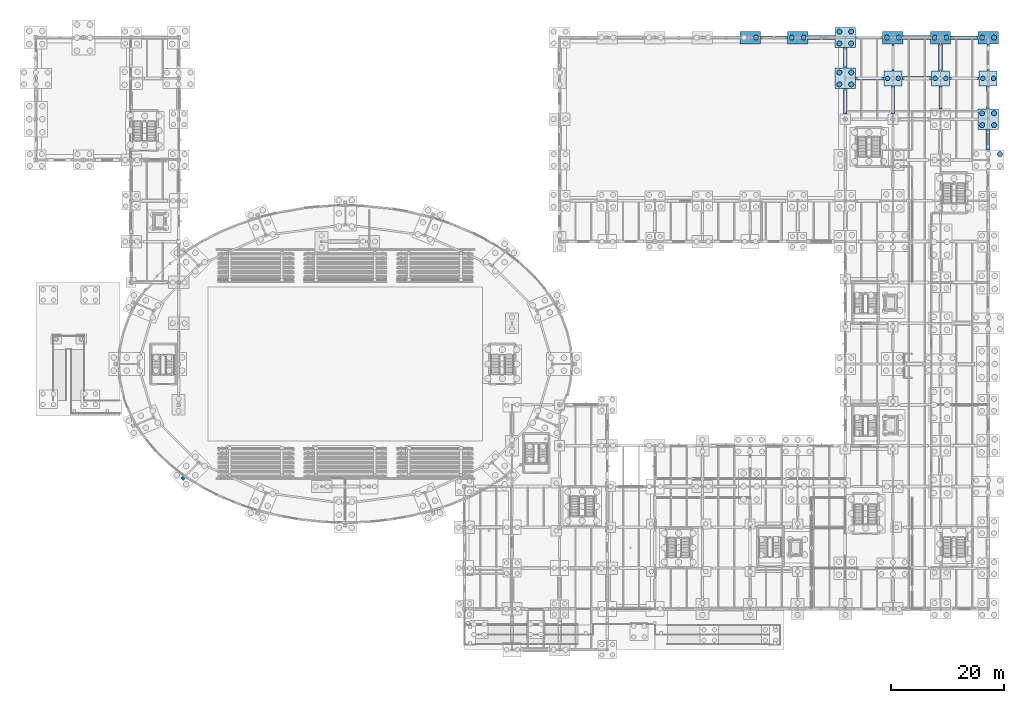
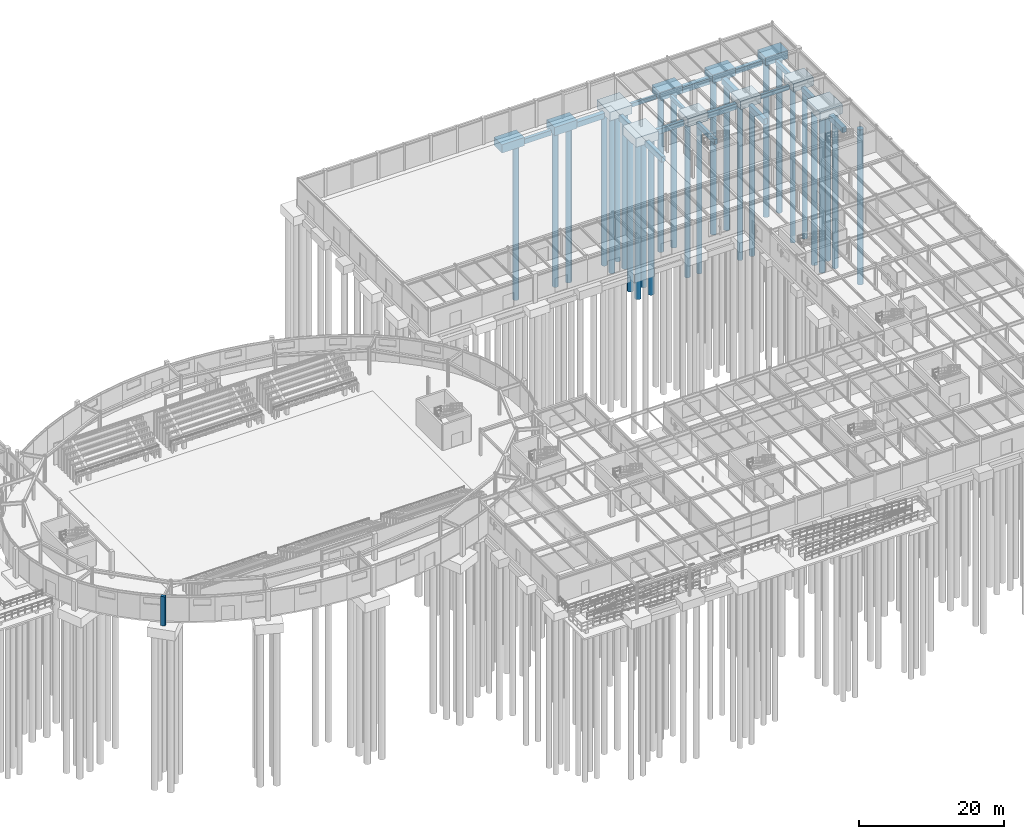
# One storey, part 9 of 93: 28 footings, 28 piles, 1 column.
"""IFC4 building model written with IfcOpenShell, lengths in metres."""

from ifc_helpers import new_model, si_unit, derived_unit, direction, frame, origin, origin_2d, place, context, subcontext, project, spatial, rectangle, circle, extrude, material, material_profile, profile_set, type_object, element, save


model = new_model("IFC4")

# Units and contexts
model_context = context("Model", 3, precision=1e-05, world=origin(), true_north=direction((0.0, 1.0)))
body_context = subcontext(model_context, "Body", "Model", "MODEL_VIEW")
ifc_project = project(units=[si_unit("LENGTHUNIT", "METRE"), si_unit("AREAUNIT", "SQUARE_METRE"), si_unit("VOLUMEUNIT", "CUBIC_METRE"), si_unit("PLANEANGLEUNIT", "RADIAN"), si_unit("MASSUNIT", "GRAM", prefix="KILO"), derived_unit("THERMALTRANSMITTANCEUNIT", [(si_unit("MASSUNIT", "GRAM", prefix="KILO"), 1), (si_unit("TIMEUNIT", "SECOND"), -3), (si_unit("THERMODYNAMICTEMPERATUREUNIT", "KELVIN"), -1)])], contexts=[model_context])

# Site, building, storey
site_placement = place(None, origin())
site = spatial("IfcSite", under=ifc_project, at=site_placement, CompositionType="ELEMENT")
building_placement = place(site_placement, origin())
building = spatial("IfcBuilding", under=site, at=building_placement, Name="Kharveza Railside Sports Centre", CompositionType="ELEMENT")
storey_placement = place(building_placement, origin())
storey = spatial("IfcBuildingStorey", under=building, at=storey_placement, Name="L00", CompositionType="ELEMENT", Elevation=0.0)

# Footings
ifc_material = material(Name="Concrete C35/45", Category="concrete")
ifc_material_profile_1 = material_profile(ifc_material, rectangle(XDim=0.60009765625, YDim=0.800048828125, at=origin_2d()), Name="GB 600x800")
ifc_profile_set_1 = profile_set([ifc_material_profile_1], Name="Concrete C35/45")
footing_type_1 = type_object("IfcFootingType", Name="FT-GB01", PredefinedType="FOOTING_BEAM", material=ifc_profile_set_1)
footing_1_placement = place(storey_placement, frame((161.403076171875, 108.0, -1.800048828125), z_axis=(1.0, 0.0, 0.0), x_axis=(0.0, 1.0, 0.0)))
element("IfcFooting", 1, at=footing_1_placement, inside=storey, type_object=footing_type_1, Name="GB-EW-141", PredefinedType="FOOTING_BEAM", context=body_context, shape_type="SweptSolid", body=[
    extrude(rectangle(XDim=0.60009765625, YDim=0.800048828125, at=origin_2d()), origin(), (0.0, 0.0, 1.0), 4.7939453125),
])
ifc_material_profile_2 = material_profile(ifc_material, rectangle(XDim=0.699951171875, YDim=0.89990234375, at=origin_2d()), Name="GB 700x900")
ifc_profile_set_2 = profile_set([ifc_material_profile_2], Name="Concrete C35/45")
footing_type_2 = type_object("IfcFootingType", Name="FT-GB03", PredefinedType="FOOTING_BEAM", material=ifc_profile_set_2)
footing_2_placement = place(storey_placement, frame((136.202880859375, 108.0, -1.85009765625), z_axis=(1.0, 0.0, 0.0), x_axis=(0.0, 1.0, 0.0)))
element("IfcFooting", 2, at=footing_2_placement, inside=storey, type_object=footing_type_2, Name="GB-EW-093", PredefinedType="FOOTING_BEAM", context=body_context, shape_type="SweptSolid", body=[
    extrude(rectangle(XDim=0.699951171875, YDim=0.89990234375, at=origin_2d()), origin(), (0.0, 0.0, 1.0), 4.819091796875),
])
footing_3_placement = place(storey_placement, frame((168.0, 88.177978515625, -1.85009765625), z_axis=(0.0, 1.0, 0.0), x_axis=(-1.0, 0.0, 0.0)))
element("IfcFooting", 3, at=footing_3_placement, inside=storey, type_object=footing_type_2, Name="GB-NS-153", PredefinedType="FOOTING_BEAM", context=body_context, shape_type="SweptSolid", body=[
    extrude(rectangle(XDim=0.699951171875, YDim=0.89990234375, at=origin_2d()), origin(), (0.0, 0.0, 1.0), 3.619140625),
])
ifc_material_profile_3 = material_profile(ifc_material, rectangle(XDim=0.550048828125, YDim=0.85009765625, at=origin_2d()), Name="GB 550x850")
ifc_profile_set_3 = profile_set([ifc_material_profile_3], Name="Concrete C35/45")
footing_type_3 = type_object("IfcFootingType", Name="FT-GB04", PredefinedType="FOOTING_BEAM", material=ifc_profile_set_3)
footing_4_placement = place(storey_placement, frame((168.0, 95.403076171875, -1.824951171875), z_axis=(0.0, 1.0, 0.0), x_axis=(-1.0, 0.0, 0.0)))
element("IfcFooting", 4, at=footing_4_placement, inside=storey, type_object=footing_type_3, Name="GB-NS-154", PredefinedType="FOOTING_BEAM", context=body_context, shape_type="SweptSolid", body=[
    extrude(rectangle(XDim=0.550048828125, YDim=0.85009765625, at=origin_2d()), origin(), (0.0, 0.0, 1.0), 4.093994140625),
])
ifc_material_profile_4 = material_profile(ifc_material, rectangle(XDim=0.449951171875, YDim=0.699951171875, at=origin_2d()), Name="GB 450x700")
ifc_profile_set_4 = profile_set([ifc_material_profile_4], Name="Concrete C35/45")
footing_type_4 = type_object("IfcFootingType", Name="FT-GB05", PredefinedType="FOOTING_BEAM", material=ifc_profile_set_4)
footing_5_placement = place(storey_placement, frame((168.0, 102.10302734375, -1.75), z_axis=(0.0, 1.0, 0.0), x_axis=(-1.0, 0.0, 0.0)))
element("IfcFooting", 5, at=footing_5_placement, inside=storey, type_object=footing_type_4, Name="GB-NS-155", PredefinedType="FOOTING_BEAM", context=body_context, shape_type="SweptSolid", body=[
    extrude(rectangle(XDim=0.449951171875, YDim=0.699951171875, at=origin_2d()), origin(), (0.0, 0.0, 1.0), 4.7939453125),
])
ifc_material_profile_5 = material_profile(ifc_material, rectangle(XDim=0.64990234375, YDim=0.85009765625, at=origin_2d()), Name="GB 650x850")
ifc_profile_set_5 = profile_set([ifc_material_profile_5], Name="Concrete C35/45")
footing_type_5 = type_object("IfcFootingType", Name="FT-GB06", PredefinedType="FOOTING_BEAM", material=ifc_profile_set_5)
footing_6_placement = place(storey_placement, frame((142.800048828125, 94.5029296875, -1.824951171875), z_axis=(0.0, 1.0, 0.0), x_axis=(-1.0, 0.0, 0.0)))
element("IfcFooting", 6, at=footing_6_placement, inside=storey, type_object=footing_type_5, Name="GB-NS-106", PredefinedType="FOOTING_BEAM", context=body_context, shape_type="SweptSolid", body=[
    extrude(rectangle(XDim=0.64990234375, YDim=0.85009765625, at=origin_2d()), origin(), (0.0, 0.0, 1.0), 4.494140625),
])
ifc_material_profile_6 = material_profile(ifc_material, rectangle(XDim=0.5, YDim=0.85009765625, at=origin_2d()), Name="GB 500x850")
ifc_profile_set_6 = profile_set([ifc_material_profile_6], Name="Concrete C35/45")
footing_type_6 = type_object("IfcFootingType", Name="FT-GB07", PredefinedType="FOOTING_BEAM", material=ifc_profile_set_6)
footing_7_placement = place(storey_placement, frame((127.802978515625, 108.0, -1.824951171875), z_axis=(1.0, 0.0, 0.0), x_axis=(0.0, 1.0, 0.0)))
element("IfcFooting", 7, at=footing_7_placement, inside=storey, type_object=footing_type_6, Name="GB-EW-087", PredefinedType="FOOTING_BEAM", context=body_context, shape_type="SweptSolid", body=[
    extrude(rectangle(XDim=0.5, YDim=0.85009765625, at=origin_2d()), origin(), (0.0, 0.0, 1.0), 4.7939453125),
])
footing_8_placement = place(storey_placement, frame((144.60302734375, 100.800048828125, -1.824951171875), z_axis=(1.0, 0.0, 0.0), x_axis=(0.0, 1.0, 0.0)))
element("IfcFooting", 8, at=footing_8_placement, inside=storey, type_object=footing_type_6, Name="GB-EW-107", PredefinedType="FOOTING_BEAM", context=body_context, shape_type="SweptSolid", body=[
    extrude(rectangle(XDim=0.5, YDim=0.85009765625, at=origin_2d()), origin(), (0.0, 0.0, 1.0), 4.993896484375),
])
footing_9_placement = place(storey_placement, frame((151.199951171875, 94.5029296875, -1.824951171875), z_axis=(0.0, 1.0, 0.0), x_axis=(-1.0, 0.0, 0.0)))
element("IfcFooting", 9, at=footing_9_placement, inside=storey, type_object=footing_type_6, Name="GB-NS-117", PredefinedType="FOOTING_BEAM", context=body_context, shape_type="SweptSolid", body=[
    extrude(rectangle(XDim=0.5, YDim=0.85009765625, at=origin_2d()), origin(), (0.0, 0.0, 1.0), 4.994140625),
])
ifc_material_profile_7 = material_profile(ifc_material, rectangle(XDim=0.60009765625, YDim=0.949951171875, at=origin_2d()), Name="GB 600x950")
ifc_profile_set_7 = profile_set([ifc_material_profile_7], Name="Concrete C35/45")
footing_type_7 = type_object("IfcFootingType", Name="FT-GB08", PredefinedType="FOOTING_BEAM", material=ifc_profile_set_7)
footing_10_placement = place(storey_placement, frame((142.800048828125, 102.60302734375, -1.875), z_axis=(0.0, 1.0, 0.0), x_axis=(-1.0, 0.0, 0.0)))
element("IfcFooting", 10, at=footing_10_placement, inside=storey, type_object=footing_type_7, Name="GB-NS-108", PredefinedType="FOOTING_BEAM", context=body_context, shape_type="SweptSolid", body=[
    extrude(rectangle(XDim=0.60009765625, YDim=0.949951171875, at=origin_2d()), origin(), (0.0, 0.0, 1.0), 3.618896484375),
])
footing_11_placement = place(storey_placement, frame((152.802978515625, 100.800048828125, -1.875), z_axis=(1.0, 0.0, 0.0), x_axis=(0.0, 1.0, 0.0)))
element("IfcFooting", 11, at=footing_11_placement, inside=storey, type_object=footing_type_7, Name="GB-EW-118", PredefinedType="FOOTING_BEAM", context=body_context, shape_type="SweptSolid", body=[
    extrude(rectangle(XDim=0.60009765625, YDim=0.949951171875, at=origin_2d()), origin(), (0.0, 0.0, 1.0), 5.194091796875),
])
footing_12_placement = place(storey_placement, frame((159.60009765625, 95.3779296875, -1.875), z_axis=(0.0, 1.0, 0.0), x_axis=(-1.0, 0.0, 0.0)))
element("IfcFooting", 12, at=footing_12_placement, inside=storey, type_object=footing_type_7, Name="GB-NS-138", PredefinedType="FOOTING_BEAM", context=body_context, shape_type="SweptSolid", body=[
    extrude(rectangle(XDim=0.60009765625, YDim=0.949951171875, at=origin_2d()), origin(), (0.0, 0.0, 1.0), 4.119140625),
])
ifc_material_profile_8 = material_profile(ifc_material, rectangle(XDim=0.39990234375, YDim=0.64990234375, at=origin_2d()), Name="GB 400x650")
ifc_profile_set_8 = profile_set([ifc_material_profile_8], Name="Concrete C35/45")
footing_type_8 = type_object("IfcFootingType", Name="FT-GB09", PredefinedType="FOOTING_BEAM", material=ifc_profile_set_8)
footing_13_placement = place(storey_placement, frame((144.577880859375, 108.0, -1.72509765625), z_axis=(1.0, 0.0, 0.0), x_axis=(0.0, 1.0, 0.0)))
element("IfcFooting", 13, at=footing_13_placement, inside=storey, type_object=footing_type_8, Name="GB-EW-109", PredefinedType="FOOTING_BEAM", context=body_context, shape_type="SweptSolid", body=[
    extrude(rectangle(XDim=0.39990234375, YDim=0.64990234375, at=origin_2d()), origin(), (0.0, 0.0, 1.0), 4.819091796875),
])
footing_14_placement = place(storey_placement, frame((151.199951171875, 102.10302734375, -1.72509765625), z_axis=(0.0, 1.0, 0.0), x_axis=(-1.0, 0.0, 0.0)))
element("IfcFooting", 14, at=footing_14_placement, inside=storey, type_object=footing_type_8, Name="GB-NS-119", PredefinedType="FOOTING_BEAM", context=body_context, shape_type="SweptSolid", body=[
    extrude(rectangle(XDim=0.39990234375, YDim=0.64990234375, at=origin_2d()), origin(), (0.0, 0.0, 1.0), 4.7939453125),
])
footing_15_placement = place(storey_placement, frame((161.202880859375, 100.800048828125, -1.72509765625), z_axis=(1.0, 0.0, 0.0), x_axis=(0.0, 1.0, 0.0)))
element("IfcFooting", 15, at=footing_15_placement, inside=storey, type_object=footing_type_8, Name="GB-EW-139", PredefinedType="FOOTING_BEAM", context=body_context, shape_type="SweptSolid", body=[
    extrude(rectangle(XDim=0.39990234375, YDim=0.64990234375, at=origin_2d()), origin(), (0.0, 0.0, 1.0), 5.194091796875),
])
ifc_material_profile_9 = material_profile(ifc_material, rectangle(XDim=0.75, YDim=1.0, at=origin_2d()), Name="GB 750x1000")
ifc_profile_set_9 = profile_set([ifc_material_profile_9], Name="Concrete C35/45")
footing_type_9 = type_object("IfcFootingType", Name="FT-GB10", PredefinedType="FOOTING_BEAM", material=ifc_profile_set_9)
footing_16_placement = place(storey_placement, frame((153.0029296875, 108.0, -1.89990234375), z_axis=(1.0, 0.0, 0.0), x_axis=(0.0, 1.0, 0.0)))
element("IfcFooting", 16, at=footing_16_placement, inside=storey, type_object=footing_type_9, Name="GB-EW-120", PredefinedType="FOOTING_BEAM", context=body_context, shape_type="SweptSolid", body=[
    extrude(rectangle(XDim=0.75, YDim=1.0, at=origin_2d()), origin(), (0.0, 0.0, 1.0), 4.794189453125),
])
footing_17_placement = place(storey_placement, frame((159.60009765625, 102.10302734375, -1.89990234375), z_axis=(0.0, 1.0, 0.0), x_axis=(-1.0, 0.0, 0.0)))
element("IfcFooting", 17, at=footing_17_placement, inside=storey, type_object=footing_type_9, Name="GB-NS-140", PredefinedType="FOOTING_BEAM", context=body_context, shape_type="SweptSolid", body=[
    extrude(rectangle(XDim=0.75, YDim=1.0, at=origin_2d()), origin(), (0.0, 0.0, 1.0), 4.7939453125),
])
footing_type_10 = type_object("IfcFootingType", Name="FT-PC01", PredefinedType="PILE_CAP", material=ifc_material)
for number, where, z_axis, x_axis, name in (
    (18, (151.199951171875, 100.800048828125, -1.820068359375), (0.0, 0.0, 1.0), (1.0, 0.0, 0.0), "FCAP-GRD-115"),
    (19, (159.60009765625, 100.800048828125, -1.820068359375), (0.0, 0.0, 1.0), (1.0, 0.0, 0.0), "FCAP-GRD-130"),
    (20, (168.0, 100.800048828125, -1.820068359375), (0.0, 0.0, 1.0), (1.0, 0.0, 0.0), "FCAP-GRD-145"),
):
    element("IfcFooting", number, at=place(storey_placement, frame(where, z_axis=z_axis, x_axis=x_axis)), inside=storey, type_object=footing_type_10, Name=name, PredefinedType="PILE_CAP", context=body_context, shape_type="SweptSolid", body=[
        extrude(rectangle(XDim=3.199951171875, YDim=2.60009765625, at=origin_2d()), origin(), (0.0, 0.0, 1.0), 1.39990234375),
    ])
footing_type_11 = type_object("IfcFootingType", Name="FT-PC02", PredefinedType="PILE_CAP", material=ifc_material)
for number, where, z_axis, x_axis, name in (
    (21, (126.0, 108.0, -1.820068359375), (0.0, 0.0, 1.0), (1.0, 0.0, 0.0), "FCAP-GRD-078"),
    (22, (134.39990234375, 108.0, -1.820068359375), (0.0, 0.0, 1.0), (1.0, 0.0, 0.0), "FCAP-GRD-086"),
    (23, (151.199951171875, 108.0, -1.820068359375), (0.0, 0.0, 1.0), (1.0, 0.0, 0.0), "FCAP-GRD-116"),
    (24, (159.60009765625, 108.0, -1.820068359375), (0.0, 0.0, 1.0), (1.0, 0.0, 0.0), "FCAP-GRD-131"),
    (25, (168.0, 108.0, -1.820068359375), (0.0, 0.0, 1.0), (1.0, 0.0, 0.0), "FCAP-GRD-146"),
):
    element("IfcFooting", number, at=place(storey_placement, frame(where, z_axis=z_axis, x_axis=x_axis)), inside=storey, type_object=footing_type_11, Name=name, PredefinedType="PILE_CAP", context=body_context, shape_type="SweptSolid", body=[
        extrude(rectangle(XDim=3.60009765625, YDim=2.199951171875, at=origin_2d()), origin(), (0.0, 0.0, 1.0), 1.39990234375),
    ])
footing_type_12 = type_object("IfcFootingType", Name="FT-PC04", PredefinedType="PILE_CAP", material=ifc_material)
for number, where, z_axis, x_axis, name in (
    (26, (142.800048828125, 100.800048828125, -1.919921875), (0.0, 0.0, 1.0), (1.0, 0.0, 0.0), "FCAP-GRD-100"),
    (27, (168.0, 93.60009765625, -1.919921875), (0.0, 0.0, 1.0), (1.0, 0.0, 0.0), "FCAP-GRD-144"),
):
    element("IfcFooting", number, at=place(storey_placement, frame(where, z_axis=z_axis, x_axis=x_axis)), inside=storey, type_object=footing_type_12, Name=name, PredefinedType="PILE_CAP", context=body_context, shape_type="SweptSolid", body=[
        extrude(rectangle(XDim=3.60009765625, YDim=3.60009765625, at=origin_2d()), origin(), (0.0, 0.0, 1.0), 1.5),
    ])
footing_type_13 = type_object("IfcFootingType", Name="FT-PC11", PredefinedType="PILE_CAP", material=ifc_material)
footing_18_placement = place(storey_placement, frame((142.800048828125, 108.0, -1.8701171875), z_axis=(0.0, 0.0, 1.0), x_axis=(1.0, 0.0, 0.0)))
element("IfcFooting", 28, at=footing_18_placement, inside=storey, type_object=footing_type_13, Name="FCAP-GRD-101", PredefinedType="PILE_CAP", context=body_context, shape_type="SweptSolid", body=[
    extrude(rectangle(XDim=3.550048828125, YDim=3.550048828125, at=origin_2d()), origin(), (0.0, 0.0, 1.0), 1.449951171875),
])

# Piles
ifc_material_profile_10 = material_profile(ifc_material, circle(Radius=0.39990234375, at=origin_2d()), Name="PILE D800")
ifc_profile_set_10 = profile_set([ifc_material_profile_10], Name="Concrete C35/45")
pile_type_1 = type_object("IfcPileType", Name="PL-B800", PredefinedType="BORED", material=ifc_profile_set_10)
for number, where, z_axis, x_axis, name in (
    (29, (150.25, 100.800048828125, -1.719970703125), (0.0, 0.0, -1.0), (1.0, 0.0, 0.0), "FCAP-GRD-115-P04-PL1"),
    (30, (152.14990234375, 100.800048828125, -1.719970703125), (0.0, 0.0, -1.0), (1.0, 0.0, 0.0), "FCAP-GRD-115-P04-PL2"),
    (31, (158.64990234375, 100.800048828125, -1.719970703125), (0.0, 0.0, -1.0), (1.0, 0.0, 0.0), "FCAP-GRD-130-P04-PL1"),
    (32, (160.550048828125, 100.800048828125, -1.719970703125), (0.0, 0.0, -1.0), (1.0, 0.0, 0.0), "FCAP-GRD-130-P04-PL2"),
    (33, (167.050048828125, 100.800048828125, -1.719970703125), (0.0, 0.0, -1.0), (1.0, 0.0, 0.0), "FCAP-GRD-145-P04-PL1"),
    (34, (168.949951171875, 100.800048828125, -1.719970703125), (0.0, 0.0, -1.0), (1.0, 0.0, 0.0), "FCAP-GRD-145-P04-PL2"),
):
    element("IfcPile", number, at=place(storey_placement, frame(where, z_axis=z_axis, x_axis=x_axis)), inside=storey, type_object=pile_type_1, Name=name, PredefinedType="BORED", context=body_context, shape_type="SweptSolid", body=[
        extrude(circle(Radius=0.39990234375, at=origin_2d()), origin(), (0.0, 0.0, 1.0), 26.280029296875),
    ])
ifc_material_profile_11 = material_profile(ifc_material, circle(Radius=0.449951171875, at=origin_2d()), Name="PILE D900")
ifc_profile_set_11 = profile_set([ifc_material_profile_11], Name="Concrete C35/45")
pile_type_2 = type_object("IfcPileType", Name="PL-B900", PredefinedType="BORED", material=ifc_profile_set_11)
for number, where, z_axis, x_axis, name in (
    (35, (127.050048828125, 108.0, -1.719970703125), (0.0, 0.0, -1.0), (1.0, 0.0, 0.0), "FCAP-GRD-078-P01-PL2"),
    (36, (133.35009765625, 108.0, -1.719970703125), (0.0, 0.0, -1.0), (1.0, 0.0, 0.0), "FCAP-GRD-086-P01-PL1"),
    (37, (135.449951171875, 108.0, -1.719970703125), (0.0, 0.0, -1.0), (1.0, 0.0, 0.0), "FCAP-GRD-086-P01-PL2"),
):
    element("IfcPile", number, at=place(storey_placement, frame(where, z_axis=z_axis, x_axis=x_axis)), inside=storey, type_object=pile_type_2, Name=name, PredefinedType="BORED", context=body_context, shape_type="SweptSolid", body=[
        extrude(circle(Radius=0.449951171875, at=origin_2d()), origin(), (0.0, 0.0, 1.0), 26.280029296875),
    ])
for number, where, z_axis, x_axis, name in (
    (38, (141.75, 99.75, -1.820068359375), (0.0, 0.0, -1.0), (1.0, 0.0, 0.0), "FCAP-GRD-100-P01-PL1"),
    (39, (143.85009765625, 99.75, -1.820068359375), (0.0, 0.0, -1.0), (1.0, 0.0, 0.0), "FCAP-GRD-100-P01-PL2"),
    (40, (141.75, 101.85009765625, -1.820068359375), (0.0, 0.0, -1.0), (1.0, 0.0, 0.0), "FCAP-GRD-100-P01-PL3"),
    (41, (143.85009765625, 101.85009765625, -1.820068359375), (0.0, 0.0, -1.0), (1.0, 0.0, 0.0), "FCAP-GRD-100-P01-PL4"),
):
    element("IfcPile", number, at=place(storey_placement, frame(where, z_axis=z_axis, x_axis=x_axis)), inside=storey, type_object=pile_type_2, Name=name, PredefinedType="BORED", context=body_context, shape_type="SweptSolid", body=[
        extrude(circle(Radius=0.449951171875, at=origin_2d()), origin(), (0.0, 0.0, 1.0), 26.179931640625),
    ])
for number, where, z_axis, x_axis, name in (
    (42, (141.760009765625, 106.9599609375, -1.77001953125), (0.0, 0.0, -1.0), (1.0, 0.0, 0.0), "FCAP-GRD-101-P01-PL1"),
    (43, (143.840087890625, 106.9599609375, -1.77001953125), (0.0, 0.0, -1.0), (1.0, 0.0, 0.0), "FCAP-GRD-101-P01-PL2"),
    (44, (141.760009765625, 109.0400390625, -1.77001953125), (0.0, 0.0, -1.0), (1.0, 0.0, 0.0), "FCAP-GRD-101-P01-PL3"),
    (45, (143.840087890625, 109.0400390625, -1.77001953125), (0.0, 0.0, -1.0), (1.0, 0.0, 0.0), "FCAP-GRD-101-P01-PL4"),
):
    element("IfcPile", number, at=place(storey_placement, frame(where, z_axis=z_axis, x_axis=x_axis)), inside=storey, type_object=pile_type_2, Name=name, PredefinedType="BORED", context=body_context, shape_type="SweptSolid", body=[
        extrude(circle(Radius=0.449951171875, at=origin_2d()), origin(), (0.0, 0.0, 1.0), 26.22998046875),
    ])
for number, where, z_axis, x_axis, name in (
    (46, (150.14990234375, 108.0, -1.719970703125), (0.0, 0.0, -1.0), (1.0, 0.0, 0.0), "FCAP-GRD-116-P01-PL1"),
    (47, (152.25, 108.0, -1.719970703125), (0.0, 0.0, -1.0), (1.0, 0.0, 0.0), "FCAP-GRD-116-P01-PL2"),
    (48, (158.550048828125, 108.0, -1.719970703125), (0.0, 0.0, -1.0), (1.0, 0.0, 0.0), "FCAP-GRD-131-P01-PL1"),
    (49, (160.64990234375, 108.0, -1.719970703125), (0.0, 0.0, -1.0), (1.0, 0.0, 0.0), "FCAP-GRD-131-P01-PL2"),
):
    element("IfcPile", number, at=place(storey_placement, frame(where, z_axis=z_axis, x_axis=x_axis)), inside=storey, type_object=pile_type_2, Name=name, PredefinedType="BORED", context=body_context, shape_type="SweptSolid", body=[
        extrude(circle(Radius=0.449951171875, at=origin_2d()), origin(), (0.0, 0.0, 1.0), 26.280029296875),
    ])
for number, where, z_axis, x_axis, name in (
    (50, (170.080078125, 87.43994140625, -1.820068359375), (0.0, 0.0, -1.0), (1.0, 0.0, 0.0), "FCAP-GRD-143-P01-PL6"),
    (51, (166.949951171875, 92.550048828125, -1.820068359375), (0.0, 0.0, -1.0), (1.0, 0.0, 0.0), "FCAP-GRD-144-P01-PL1"),
    (52, (169.050048828125, 92.550048828125, -1.820068359375), (0.0, 0.0, -1.0), (1.0, 0.0, 0.0), "FCAP-GRD-144-P01-PL2"),
    (53, (166.949951171875, 94.64990234375, -1.820068359375), (0.0, 0.0, -1.0), (1.0, 0.0, 0.0), "FCAP-GRD-144-P01-PL3"),
    (54, (169.050048828125, 94.64990234375, -1.820068359375), (0.0, 0.0, -1.0), (1.0, 0.0, 0.0), "FCAP-GRD-144-P01-PL4"),
):
    element("IfcPile", number, at=place(storey_placement, frame(where, z_axis=z_axis, x_axis=x_axis)), inside=storey, type_object=pile_type_2, Name=name, PredefinedType="BORED", context=body_context, shape_type="SweptSolid", body=[
        extrude(circle(Radius=0.449951171875, at=origin_2d()), origin(), (0.0, 0.0, 1.0), 26.179931640625),
    ])
for number, where, z_axis, x_axis, name in (
    (55, (166.949951171875, 108.0, -1.719970703125), (0.0, 0.0, -1.0), (1.0, 0.0, 0.0), "FCAP-GRD-146-P01-PL1"),
    (56, (169.050048828125, 108.0, -1.719970703125), (0.0, 0.0, -1.0), (1.0, 0.0, 0.0), "FCAP-GRD-146-P01-PL2"),
):
    element("IfcPile", number, at=place(storey_placement, frame(where, z_axis=z_axis, x_axis=x_axis)), inside=storey, type_object=pile_type_2, Name=name, PredefinedType="BORED", context=body_context, shape_type="SweptSolid", body=[
        extrude(circle(Radius=0.449951171875, at=origin_2d()), origin(), (0.0, 0.0, 1.0), 26.280029296875),
    ])

# Column
ifc_material_profile_12 = material_profile(ifc_material, rectangle(XDim=0.449951171875, YDim=0.64990234375, at=origin_2d()), Name="RC 450x650")
ifc_profile_set_12 = profile_set([ifc_material_profile_12], Name="Concrete C35/45")
column_type = type_object("IfcColumnType", Name="COL-RC04", PredefinedType="PILASTER", material=ifc_profile_set_12)
column_placement = place(storey_placement, frame((25.9267578125, 30.212158203125, -0.419921875), z_axis=(0.0, 0.0, 1.0), x_axis=(-0.707106781187, -0.707106781187, 0.0)))
element("IfcColumn", 57, at=column_placement, inside=storey, type_object=column_type, Name="COL-BUTT-11-L00", PredefinedType="PILASTER", context=body_context, shape_type="SweptSolid", body=[
    extrude(rectangle(XDim=0.449951171875, YDim=0.64990234375, at=origin_2d()), origin(), (0.0, 0.0, 1.0), 4.919921875),
])

save(model, "model.ifc")
